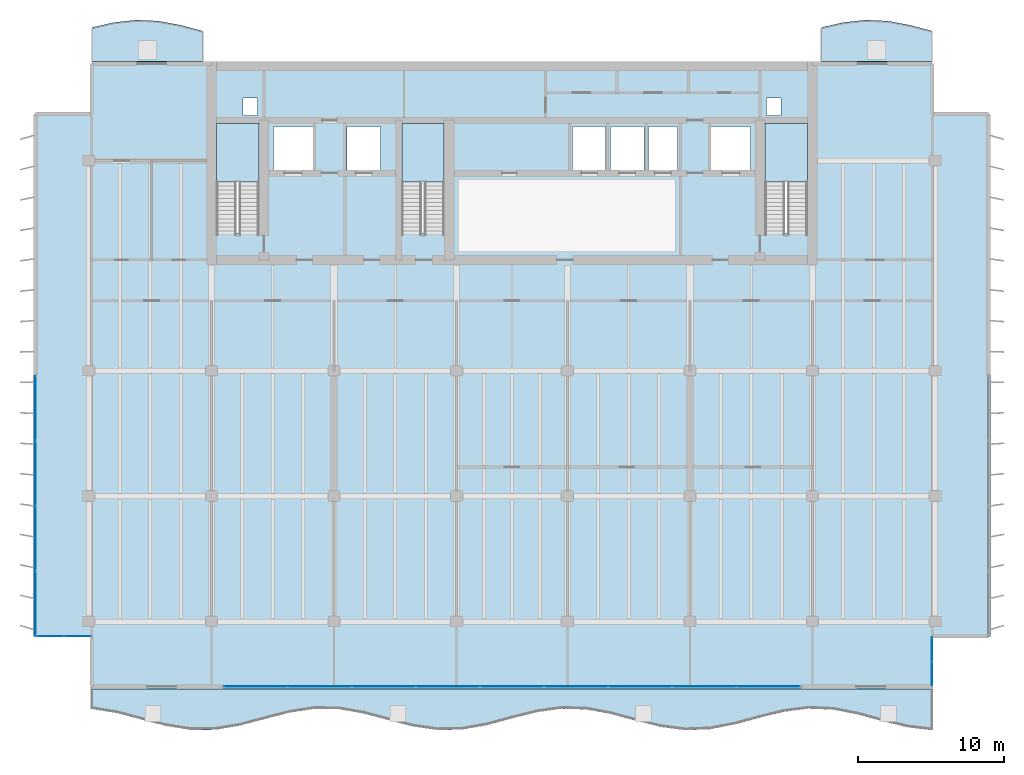
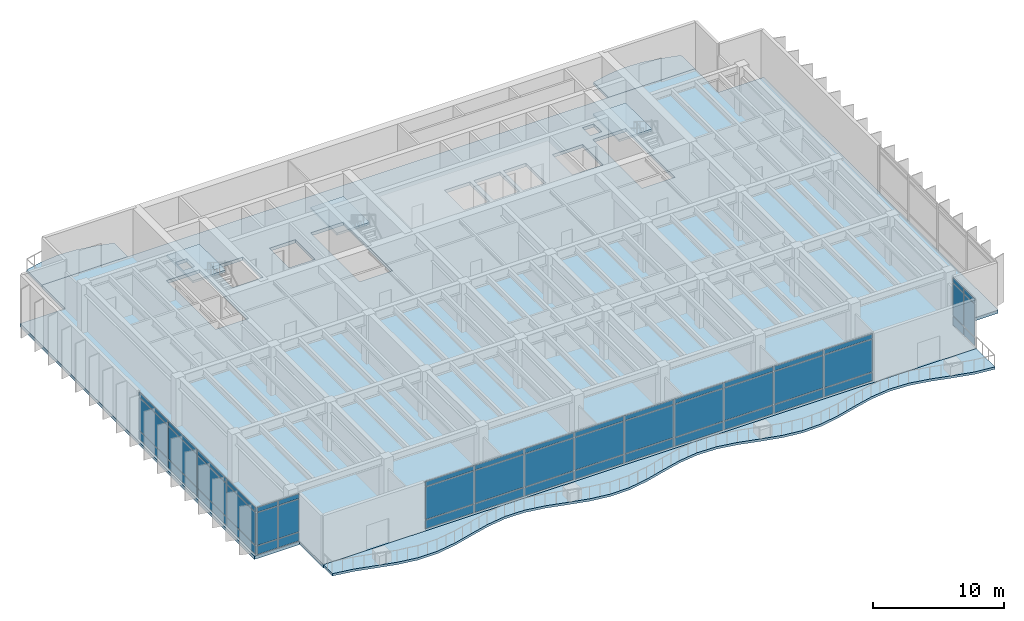
# One storey, part 7 of 15: 51 plates, 7 slabs, 7 elements without a shape of their own.
"""IFC4 building model written with IfcOpenShell, lengths in metres."""

from ifc_helpers import new_model, si_unit, direction, frame, origin, origin_2d, place, context, subcontext, project, spatial, polyline, rectangle, outline, extrude, material, layer, layer_set, type_object, element, aggregate, save


model = new_model("IFC4")

# Units and contexts
model_context = context("Model", 3, precision=1e-05, world=origin(), true_north=direction((0.0, 1.0)))
body_context = subcontext(model_context, "Body", "Model", "MODEL_VIEW")
ifc_project = project(units=[si_unit("LENGTHUNIT", "METRE"), si_unit("AREAUNIT", "SQUARE_METRE"), si_unit("VOLUMEUNIT", "CUBIC_METRE"), si_unit("PLANEANGLEUNIT", "RADIAN"), si_unit("MASSUNIT", "GRAM", prefix="KILO")], contexts=[model_context])

# Site, building, storey
site_placement = place(None, origin())
site = spatial("IfcSite", under=ifc_project, at=site_placement, CompositionType="ELEMENT")
building_placement = place(site_placement, origin())
building = spatial("IfcBuilding", under=site, at=building_placement, Name="Caelmar Bay Residences", CompositionType="ELEMENT")
storey_placement = place(building_placement, frame((0.0, 0.0, 183.60009765625)))
storey = spatial("IfcBuildingStorey", under=building, at=storey_placement, Name="L51", CompositionType="ELEMENT", Elevation=183.60009765625)

# Curtain wall, plates
ifc_material_1 = material(Name="Anodised bronze aluminium 6063-T6 and laminated glass", Category="aluminium")
ifc_layer_1 = layer(ifc_material_1, 0.179931640625)
ifc_layer_set_1 = layer_set([ifc_layer_1], Name="Anodised bronze aluminium 6063-T6 and laminated glass")
curtain_wall_type_1 = type_object("IfcCurtainWallType", Name="CW6-NTC", PredefinedType="NOTDEFINED", material=ifc_layer_set_1)
curtain_wall_1_placement = place(storey_placement, origin())
curtain_wall_1 = element("IfcCurtainWall", 1, at=curtain_wall_1_placement, inside=storey, type_object=curtain_wall_type_1, Name="CW6 curtain wall L51", PredefinedType="NOTDEFINED")
ifc_material_2 = material(Name="Bronze-tinted laminated low-E hurricane glass 28 mm", Category="glass")
ifc_layer_2 = layer(ifc_material_2, 0.028076171875)
ifc_layer_set_2 = layer_set([ifc_layer_2], Name="Bronze-tinted laminated low-E hurricane glass 28 mm")
plate_type_1 = type_object("IfcPlateType", Name="CWP-GLZ28", PredefinedType="CURTAIN_PANEL", material=ifc_layer_set_2)
plate_1_placement = place(storey_placement, frame((7.232421875, 11.199951171875, 0.080078125), z_axis=(0.0, 0.0, 1.0), x_axis=(1.0, 0.0, 0.0)))
plate_1 = element("IfcPlate", 2, at=plate_1_placement, type_object=plate_type_1, Name="CW6 panel 1.1", PredefinedType="CURTAIN_PANEL", context=body_context, shape_type="SweptSolid", body=[
    extrude(rectangle(XDim=1.804931640625, YDim=0.028076171875, at=origin_2d()), origin(), (0.0, 0.0, 1.0), 0.780029296875),
])
plate_2_placement = place(storey_placement, frame((7.232421875, 11.199951171875, 0.93994140625), z_axis=(0.0, 0.0, 1.0), x_axis=(1.0, 0.0, 0.0)))
plate_2 = element("IfcPlate", 3, at=plate_2_placement, type_object=plate_type_1, Name="CW6 panel 1.2", PredefinedType="CURTAIN_PANEL", context=body_context, shape_type="SweptSolid", body=[
    extrude(rectangle(XDim=1.804931640625, YDim=0.028076171875, at=origin_2d()), origin(), (0.0, 0.0, 1.0), 3.02001953125),
])
plate_3_placement = place(storey_placement, frame((7.232421875, 11.199951171875, 4.0400390625), z_axis=(0.0, 0.0, 1.0), x_axis=(1.0, 0.0, 0.0)))
plate_3 = element("IfcPlate", 4, at=plate_3_placement, type_object=plate_type_1, Name="CW6 panel 1.3", PredefinedType="CURTAIN_PANEL", context=body_context, shape_type="SweptSolid", body=[
    extrude(rectangle(XDim=1.804931640625, YDim=0.028076171875, at=origin_2d()), origin(), (0.0, 0.0, 1.0), 0.429931640625),
])
plate_4_placement = place(storey_placement, frame((9.117431640625, 11.199951171875, 0.080078125), z_axis=(0.0, 0.0, 1.0), x_axis=(1.0, 0.0, 0.0)))
plate_4 = element("IfcPlate", 5, at=plate_4_placement, type_object=plate_type_1, Name="CW6 panel 2.1", PredefinedType="CURTAIN_PANEL", context=body_context, shape_type="SweptSolid", body=[
    extrude(rectangle(XDim=1.804931640625, YDim=0.028076171875, at=origin_2d()), origin(), (0.0, 0.0, 1.0), 0.780029296875),
])
plate_5_placement = place(storey_placement, frame((9.117431640625, 11.199951171875, 0.93994140625), z_axis=(0.0, 0.0, 1.0), x_axis=(1.0, 0.0, 0.0)))
plate_5 = element("IfcPlate", 6, at=plate_5_placement, type_object=plate_type_1, Name="CW6 panel 2.2", PredefinedType="CURTAIN_PANEL", context=body_context, shape_type="SweptSolid", body=[
    extrude(rectangle(XDim=1.804931640625, YDim=0.028076171875, at=origin_2d()), origin(), (0.0, 0.0, 1.0), 3.02001953125),
])
plate_6_placement = place(storey_placement, frame((9.117431640625, 11.199951171875, 4.0400390625), z_axis=(0.0, 0.0, 1.0), x_axis=(1.0, 0.0, 0.0)))
plate_6 = element("IfcPlate", 7, at=plate_6_placement, type_object=plate_type_1, Name="CW6 panel 2.3", PredefinedType="CURTAIN_PANEL", context=body_context, shape_type="SweptSolid", body=[
    extrude(rectangle(XDim=1.804931640625, YDim=0.028076171875, at=origin_2d()), origin(), (0.0, 0.0, 1.0), 0.429931640625),
])
aggregate(curtain_wall_1, [plate_1, plate_2, plate_3, plate_4, plate_5, plate_6])

curtain_wall_2_placement = place(storey_placement, origin())
curtain_wall_2 = element("IfcCurtainWall", 8, at=curtain_wall_2_placement, inside=storey, type_object=curtain_wall_type_1, Name="CW6 curtain wall L51", PredefinedType="NOTDEFINED")
plate_7_placement = place(storey_placement, frame((67.699951171875, 8.632568359375, 0.080078125), z_axis=(0.0, 0.0, 1.0), x_axis=(0.0, 1.0, 0.0)))
plate_7 = element("IfcPlate", 9, at=plate_7_placement, type_object=plate_type_1, Name="CW6 panel 1.1", PredefinedType="CURTAIN_PANEL", context=body_context, shape_type="SweptSolid", body=[
    extrude(rectangle(XDim=1.60498046875, YDim=0.028076171875, at=origin_2d()), origin(), (0.0, 0.0, 1.0), 0.780029296875),
])
plate_8_placement = place(storey_placement, frame((67.699951171875, 8.632568359375, 0.93994140625), z_axis=(0.0, 0.0, 1.0), x_axis=(0.0, 1.0, 0.0)))
plate_8 = element("IfcPlate", 10, at=plate_8_placement, type_object=plate_type_1, Name="CW6 panel 1.2", PredefinedType="CURTAIN_PANEL", context=body_context, shape_type="SweptSolid", body=[
    extrude(rectangle(XDim=1.60498046875, YDim=0.028076171875, at=origin_2d()), origin(), (0.0, 0.0, 1.0), 3.02001953125),
])
plate_9_placement = place(storey_placement, frame((67.699951171875, 8.632568359375, 4.0400390625), z_axis=(0.0, 0.0, 1.0), x_axis=(0.0, 1.0, 0.0)))
plate_9 = element("IfcPlate", 11, at=plate_9_placement, type_object=plate_type_1, Name="CW6 panel 1.3", PredefinedType="CURTAIN_PANEL", context=body_context, shape_type="SweptSolid", body=[
    extrude(rectangle(XDim=1.60498046875, YDim=0.028076171875, at=origin_2d()), origin(), (0.0, 0.0, 1.0), 0.429931640625),
])
plate_10_placement = place(storey_placement, frame((67.699951171875, 10.3173828125, 0.080078125), z_axis=(0.0, 0.0, 1.0), x_axis=(0.0, 1.0, 0.0)))
plate_10 = element("IfcPlate", 12, at=plate_10_placement, type_object=plate_type_1, Name="CW6 panel 2.1", PredefinedType="CURTAIN_PANEL", context=body_context, shape_type="SweptSolid", body=[
    extrude(rectangle(XDim=1.60498046875, YDim=0.028076171875, at=origin_2d()), origin(), (0.0, 0.0, 1.0), 0.780029296875),
])
plate_11_placement = place(storey_placement, frame((67.699951171875, 10.3173828125, 0.93994140625), z_axis=(0.0, 0.0, 1.0), x_axis=(0.0, 1.0, 0.0)))
plate_11 = element("IfcPlate", 13, at=plate_11_placement, type_object=plate_type_1, Name="CW6 panel 2.2", PredefinedType="CURTAIN_PANEL", context=body_context, shape_type="SweptSolid", body=[
    extrude(rectangle(XDim=1.60498046875, YDim=0.028076171875, at=origin_2d()), origin(), (0.0, 0.0, 1.0), 3.02001953125),
])
plate_12_placement = place(storey_placement, frame((67.699951171875, 10.3173828125, 4.0400390625), z_axis=(0.0, 0.0, 1.0), x_axis=(0.0, 1.0, 0.0)))
plate_12 = element("IfcPlate", 14, at=plate_12_placement, type_object=plate_type_1, Name="CW6 panel 2.3", PredefinedType="CURTAIN_PANEL", context=body_context, shape_type="SweptSolid", body=[
    extrude(rectangle(XDim=1.60498046875, YDim=0.028076171875, at=origin_2d()), origin(), (0.0, 0.0, 1.0), 0.429931640625),
])
aggregate(curtain_wall_2, [plate_7, plate_8, plate_9, plate_10, plate_11, plate_12])

ifc_layer_3 = layer(ifc_material_1, 0.179931640625)
ifc_layer_set_3 = layer_set([ifc_layer_3], Name="Anodised bronze aluminium 6063-T6 and laminated glass")
curtain_wall_type_2 = type_object("IfcCurtainWallType", Name="CW7-CRN", PredefinedType="NOTDEFINED", material=ifc_layer_set_3)
curtain_wall_3_placement = place(storey_placement, origin())
curtain_wall_3 = element("IfcCurtainWall", 15, at=curtain_wall_3_placement, inside=storey, type_object=curtain_wall_type_2, Name="CW7 curtain wall L51", PredefinedType="NOTDEFINED")
ifc_material_3 = material(Name="Bronze-tinted laminated low-E hurricane glass 32 mm", Category="glass")
ifc_layer_4 = layer(ifc_material_3, 0.031982421875)
ifc_layer_set_4 = layer_set([ifc_layer_4], Name="Bronze-tinted laminated low-E hurricane glass 32 mm")
plate_type_2 = type_object("IfcPlateType", Name="CWP-GLZ32", PredefinedType="CURTAIN_PANEL", material=ifc_layer_set_4)
plate_13_placement = place(storey_placement, frame((56.47998046875, 7.75, 0.080078125), z_axis=(0.0, 0.0, 1.0), x_axis=(-1.0, 0.0, 0.0)))
plate_13 = element("IfcPlate", 16, at=plate_13_placement, type_object=plate_type_2, Name="CW7 panel 1.1", PredefinedType="CURTAIN_PANEL", context=body_context, shape_type="SweptSolid", body=[
    extrude(rectangle(XDim=4.280029296875, YDim=0.031982421875, at=origin_2d()), origin(), (0.0, 0.0, 1.0), 0.780029296875),
])
plate_14_placement = place(storey_placement, frame((56.47998046875, 7.75, 0.93994140625), z_axis=(0.0, 0.0, 1.0), x_axis=(-1.0, 0.0, 0.0)))
plate_14 = element("IfcPlate", 17, at=plate_14_placement, type_object=plate_type_2, Name="CW7 panel 1.2", PredefinedType="CURTAIN_PANEL", context=body_context, shape_type="SweptSolid", body=[
    extrude(rectangle(XDim=4.280029296875, YDim=0.031982421875, at=origin_2d()), origin(), (0.0, 0.0, 1.0), 3.02001953125),
])
plate_15_placement = place(storey_placement, frame((56.47998046875, 7.75, 4.0400390625), z_axis=(0.0, 0.0, 1.0), x_axis=(-1.0, 0.0, 0.0)))
plate_15 = element("IfcPlate", 18, at=plate_15_placement, type_object=plate_type_2, Name="CW7 panel 1.3", PredefinedType="CURTAIN_PANEL", context=body_context, shape_type="SweptSolid", body=[
    extrude(rectangle(XDim=4.280029296875, YDim=0.031982421875, at=origin_2d()), origin(), (0.0, 0.0, 1.0), 0.429931640625),
])
plate_16_placement = place(storey_placement, frame((52.10009765625, 7.75, 0.080078125), z_axis=(0.0, 0.0, 1.0), x_axis=(-1.0, 0.0, 0.0)))
plate_16 = element("IfcPlate", 19, at=plate_16_placement, type_object=plate_type_2, Name="CW7 panel 2.1", PredefinedType="CURTAIN_PANEL", context=body_context, shape_type="SweptSolid", body=[
    extrude(rectangle(XDim=4.320068359375, YDim=0.031982421875, at=origin_2d()), origin(), (0.0, 0.0, 1.0), 0.780029296875),
])
plate_17_placement = place(storey_placement, frame((52.10009765625, 7.75, 0.93994140625), z_axis=(0.0, 0.0, 1.0), x_axis=(-1.0, 0.0, 0.0)))
plate_17 = element("IfcPlate", 20, at=plate_17_placement, type_object=plate_type_2, Name="CW7 panel 2.2", PredefinedType="CURTAIN_PANEL", context=body_context, shape_type="SweptSolid", body=[
    extrude(rectangle(XDim=4.320068359375, YDim=0.031982421875, at=origin_2d()), origin(), (0.0, 0.0, 1.0), 3.02001953125),
])
plate_18_placement = place(storey_placement, frame((52.10009765625, 7.75, 4.0400390625), z_axis=(0.0, 0.0, 1.0), x_axis=(-1.0, 0.0, 0.0)))
plate_18 = element("IfcPlate", 21, at=plate_18_placement, type_object=plate_type_2, Name="CW7 panel 2.3", PredefinedType="CURTAIN_PANEL", context=body_context, shape_type="SweptSolid", body=[
    extrude(rectangle(XDim=4.320068359375, YDim=0.031982421875, at=origin_2d()), origin(), (0.0, 0.0, 1.0), 0.429931640625),
])
plate_19_placement = place(storey_placement, frame((47.699951171875, 7.75, 0.080078125), z_axis=(0.0, 0.0, 1.0), x_axis=(-1.0, 0.0, 0.0)))
plate_19 = element("IfcPlate", 22, at=plate_19_placement, type_object=plate_type_2, Name="CW7 panel 3.1", PredefinedType="CURTAIN_PANEL", context=body_context, shape_type="SweptSolid", body=[
    extrude(rectangle(XDim=4.320068359375, YDim=0.031982421875, at=origin_2d()), origin(), (0.0, 0.0, 1.0), 0.780029296875),
])
plate_20_placement = place(storey_placement, frame((47.699951171875, 7.75, 0.93994140625), z_axis=(0.0, 0.0, 1.0), x_axis=(-1.0, 0.0, 0.0)))
plate_20 = element("IfcPlate", 23, at=plate_20_placement, type_object=plate_type_2, Name="CW7 panel 3.2", PredefinedType="CURTAIN_PANEL", context=body_context, shape_type="SweptSolid", body=[
    extrude(rectangle(XDim=4.320068359375, YDim=0.031982421875, at=origin_2d()), origin(), (0.0, 0.0, 1.0), 3.02001953125),
])
plate_21_placement = place(storey_placement, frame((47.699951171875, 7.75, 4.0400390625), z_axis=(0.0, 0.0, 1.0), x_axis=(-1.0, 0.0, 0.0)))
plate_21 = element("IfcPlate", 24, at=plate_21_placement, type_object=plate_type_2, Name="CW7 panel 3.3", PredefinedType="CURTAIN_PANEL", context=body_context, shape_type="SweptSolid", body=[
    extrude(rectangle(XDim=4.320068359375, YDim=0.031982421875, at=origin_2d()), origin(), (0.0, 0.0, 1.0), 0.429931640625),
])
plate_22_placement = place(storey_placement, frame((43.300048828125, 7.75, 0.080078125), z_axis=(0.0, 0.0, 1.0), x_axis=(-1.0, 0.0, 0.0)))
plate_22 = element("IfcPlate", 25, at=plate_22_placement, type_object=plate_type_2, Name="CW7 panel 4.1", PredefinedType="CURTAIN_PANEL", context=body_context, shape_type="SweptSolid", body=[
    extrude(rectangle(XDim=4.320068359375, YDim=0.031982421875, at=origin_2d()), origin(), (0.0, 0.0, 1.0), 0.780029296875),
])
plate_23_placement = place(storey_placement, frame((43.300048828125, 7.75, 0.93994140625), z_axis=(0.0, 0.0, 1.0), x_axis=(-1.0, 0.0, 0.0)))
plate_23 = element("IfcPlate", 26, at=plate_23_placement, type_object=plate_type_2, Name="CW7 panel 4.2", PredefinedType="CURTAIN_PANEL", context=body_context, shape_type="SweptSolid", body=[
    extrude(rectangle(XDim=4.320068359375, YDim=0.031982421875, at=origin_2d()), origin(), (0.0, 0.0, 1.0), 3.02001953125),
])
plate_24_placement = place(storey_placement, frame((43.300048828125, 7.75, 4.0400390625), z_axis=(0.0, 0.0, 1.0), x_axis=(-1.0, 0.0, 0.0)))
plate_24 = element("IfcPlate", 27, at=plate_24_placement, type_object=plate_type_2, Name="CW7 panel 4.3", PredefinedType="CURTAIN_PANEL", context=body_context, shape_type="SweptSolid", body=[
    extrude(rectangle(XDim=4.320068359375, YDim=0.031982421875, at=origin_2d()), origin(), (0.0, 0.0, 1.0), 0.429931640625),
])
plate_25_placement = place(storey_placement, frame((38.89990234375, 7.75, 0.080078125), z_axis=(0.0, 0.0, 1.0), x_axis=(-1.0, 0.0, 0.0)))
plate_25 = element("IfcPlate", 28, at=plate_25_placement, type_object=plate_type_2, Name="CW7 panel 5.1", PredefinedType="CURTAIN_PANEL", context=body_context, shape_type="SweptSolid", body=[
    extrude(rectangle(XDim=4.320068359375, YDim=0.031982421875, at=origin_2d()), origin(), (0.0, 0.0, 1.0), 0.780029296875),
])
plate_26_placement = place(storey_placement, frame((38.89990234375, 7.75, 0.93994140625), z_axis=(0.0, 0.0, 1.0), x_axis=(-1.0, 0.0, 0.0)))
plate_26 = element("IfcPlate", 29, at=plate_26_placement, type_object=plate_type_2, Name="CW7 panel 5.2", PredefinedType="CURTAIN_PANEL", context=body_context, shape_type="SweptSolid", body=[
    extrude(rectangle(XDim=4.320068359375, YDim=0.031982421875, at=origin_2d()), origin(), (0.0, 0.0, 1.0), 3.02001953125),
])
plate_27_placement = place(storey_placement, frame((38.89990234375, 7.75, 4.0400390625), z_axis=(0.0, 0.0, 1.0), x_axis=(-1.0, 0.0, 0.0)))
plate_27 = element("IfcPlate", 30, at=plate_27_placement, type_object=plate_type_2, Name="CW7 panel 5.3", PredefinedType="CURTAIN_PANEL", context=body_context, shape_type="SweptSolid", body=[
    extrude(rectangle(XDim=4.320068359375, YDim=0.031982421875, at=origin_2d()), origin(), (0.0, 0.0, 1.0), 0.429931640625),
])
plate_28_placement = place(storey_placement, frame((34.5, 7.75, 0.080078125), z_axis=(0.0, 0.0, 1.0), x_axis=(-1.0, 0.0, 0.0)))
plate_28 = element("IfcPlate", 31, at=plate_28_placement, type_object=plate_type_2, Name="CW7 panel 6.1", PredefinedType="CURTAIN_PANEL", context=body_context, shape_type="SweptSolid", body=[
    extrude(rectangle(XDim=4.320068359375, YDim=0.031982421875, at=origin_2d()), origin(), (0.0, 0.0, 1.0), 0.780029296875),
])
plate_29_placement = place(storey_placement, frame((34.5, 7.75, 0.93994140625), z_axis=(0.0, 0.0, 1.0), x_axis=(-1.0, 0.0, 0.0)))
plate_29 = element("IfcPlate", 32, at=plate_29_placement, type_object=plate_type_2, Name="CW7 panel 6.2", PredefinedType="CURTAIN_PANEL", context=body_context, shape_type="SweptSolid", body=[
    extrude(rectangle(XDim=4.320068359375, YDim=0.031982421875, at=origin_2d()), origin(), (0.0, 0.0, 1.0), 3.02001953125),
])
plate_30_placement = place(storey_placement, frame((34.5, 7.75, 4.0400390625), z_axis=(0.0, 0.0, 1.0), x_axis=(-1.0, 0.0, 0.0)))
plate_30 = element("IfcPlate", 33, at=plate_30_placement, type_object=plate_type_2, Name="CW7 panel 6.3", PredefinedType="CURTAIN_PANEL", context=body_context, shape_type="SweptSolid", body=[
    extrude(rectangle(XDim=4.320068359375, YDim=0.031982421875, at=origin_2d()), origin(), (0.0, 0.0, 1.0), 0.429931640625),
])
plate_31_placement = place(storey_placement, frame((30.10009765625, 7.75, 0.080078125), z_axis=(0.0, 0.0, 1.0), x_axis=(-1.0, 0.0, 0.0)))
plate_31 = element("IfcPlate", 34, at=plate_31_placement, type_object=plate_type_2, Name="CW7 panel 7.1", PredefinedType="CURTAIN_PANEL", context=body_context, shape_type="SweptSolid", body=[
    extrude(rectangle(XDim=4.320068359375, YDim=0.031982421875, at=origin_2d()), origin(), (0.0, 0.0, 1.0), 0.780029296875),
])
plate_32_placement = place(storey_placement, frame((30.10009765625, 7.75, 0.93994140625), z_axis=(0.0, 0.0, 1.0), x_axis=(-1.0, 0.0, 0.0)))
plate_32 = element("IfcPlate", 35, at=plate_32_placement, type_object=plate_type_2, Name="CW7 panel 7.2", PredefinedType="CURTAIN_PANEL", context=body_context, shape_type="SweptSolid", body=[
    extrude(rectangle(XDim=4.320068359375, YDim=0.031982421875, at=origin_2d()), origin(), (0.0, 0.0, 1.0), 3.02001953125),
])
plate_33_placement = place(storey_placement, frame((30.10009765625, 7.75, 4.0400390625), z_axis=(0.0, 0.0, 1.0), x_axis=(-1.0, 0.0, 0.0)))
plate_33 = element("IfcPlate", 36, at=plate_33_placement, type_object=plate_type_2, Name="CW7 panel 7.3", PredefinedType="CURTAIN_PANEL", context=body_context, shape_type="SweptSolid", body=[
    extrude(rectangle(XDim=4.320068359375, YDim=0.031982421875, at=origin_2d()), origin(), (0.0, 0.0, 1.0), 0.429931640625),
])
plate_34_placement = place(storey_placement, frame((25.699951171875, 7.75, 0.080078125), z_axis=(0.0, 0.0, 1.0), x_axis=(-1.0, 0.0, 0.0)))
plate_34 = element("IfcPlate", 37, at=plate_34_placement, type_object=plate_type_2, Name="CW7 panel 8.1", PredefinedType="CURTAIN_PANEL", context=body_context, shape_type="SweptSolid", body=[
    extrude(rectangle(XDim=4.320068359375, YDim=0.031982421875, at=origin_2d()), origin(), (0.0, 0.0, 1.0), 0.780029296875),
])
plate_35_placement = place(storey_placement, frame((25.699951171875, 7.75, 0.93994140625), z_axis=(0.0, 0.0, 1.0), x_axis=(-1.0, 0.0, 0.0)))
plate_35 = element("IfcPlate", 38, at=plate_35_placement, type_object=plate_type_2, Name="CW7 panel 8.2", PredefinedType="CURTAIN_PANEL", context=body_context, shape_type="SweptSolid", body=[
    extrude(rectangle(XDim=4.320068359375, YDim=0.031982421875, at=origin_2d()), origin(), (0.0, 0.0, 1.0), 3.02001953125),
])
plate_36_placement = place(storey_placement, frame((25.699951171875, 7.75, 4.0400390625), z_axis=(0.0, 0.0, 1.0), x_axis=(-1.0, 0.0, 0.0)))
plate_36 = element("IfcPlate", 39, at=plate_36_placement, type_object=plate_type_2, Name="CW7 panel 8.3", PredefinedType="CURTAIN_PANEL", context=body_context, shape_type="SweptSolid", body=[
    extrude(rectangle(XDim=4.320068359375, YDim=0.031982421875, at=origin_2d()), origin(), (0.0, 0.0, 1.0), 0.429931640625),
])
plate_37_placement = place(storey_placement, frame((21.320068359375, 7.75, 0.080078125), z_axis=(0.0, 0.0, 1.0), x_axis=(-1.0, 0.0, 0.0)))
plate_37 = element("IfcPlate", 40, at=plate_37_placement, type_object=plate_type_2, Name="CW7 panel 9.1", PredefinedType="CURTAIN_PANEL", context=body_context, shape_type="SweptSolid", body=[
    extrude(rectangle(XDim=4.280029296875, YDim=0.031982421875, at=origin_2d()), origin(), (0.0, 0.0, 1.0), 0.780029296875),
])
plate_38_placement = place(storey_placement, frame((21.320068359375, 7.75, 0.93994140625), z_axis=(0.0, 0.0, 1.0), x_axis=(-1.0, 0.0, 0.0)))
plate_38 = element("IfcPlate", 41, at=plate_38_placement, type_object=plate_type_2, Name="CW7 panel 9.2", PredefinedType="CURTAIN_PANEL", context=body_context, shape_type="SweptSolid", body=[
    extrude(rectangle(XDim=4.280029296875, YDim=0.031982421875, at=origin_2d()), origin(), (0.0, 0.0, 1.0), 3.02001953125),
])
plate_39_placement = place(storey_placement, frame((21.320068359375, 7.75, 4.0400390625), z_axis=(0.0, 0.0, 1.0), x_axis=(-1.0, 0.0, 0.0)))
plate_39 = element("IfcPlate", 42, at=plate_39_placement, type_object=plate_type_2, Name="CW7 panel 9.3", PredefinedType="CURTAIN_PANEL", context=body_context, shape_type="SweptSolid", body=[
    extrude(rectangle(XDim=4.280029296875, YDim=0.031982421875, at=origin_2d()), origin(), (0.0, 0.0, 1.0), 0.429931640625),
])
aggregate(curtain_wall_3, [plate_13, plate_14, plate_15, plate_16, plate_17, plate_18, plate_19, plate_20, plate_21, plate_22, plate_23, plate_24, plate_25, plate_26, plate_27, plate_28, plate_29, plate_30, plate_31, plate_32, plate_33, plate_34, plate_35, plate_36, plate_37, plate_38, plate_39])

curtain_wall_4_placement = place(storey_placement, origin())
curtain_wall_4 = element("IfcCurtainWall", 43, at=curtain_wall_4_placement, inside=storey, type_object=curtain_wall_type_2, Name="CW7 curtain wall L51", PredefinedType="NOTDEFINED")
plate_40_placement = place(storey_placement, frame((6.25, 13.45751953125, 0.080078125), z_axis=(0.0, 0.0, 1.0), x_axis=(0.0, 1.0, 0.0)))
plate_40 = element("IfcPlate", 44, at=plate_40_placement, type_object=plate_type_2, Name="CW7 panel 1.1", PredefinedType="CURTAIN_PANEL", context=body_context, shape_type="SweptSolid", body=[
    extrude(rectangle(XDim=4.35498046875, YDim=0.031982421875, at=origin_2d()), origin(), (0.0, 0.0, 1.0), 0.780029296875),
])
plate_41_placement = place(storey_placement, frame((6.25, 13.45751953125, 0.93994140625), z_axis=(0.0, 0.0, 1.0), x_axis=(0.0, 1.0, 0.0)))
plate_41 = element("IfcPlate", 45, at=plate_41_placement, type_object=plate_type_2, Name="CW7 panel 1.2", PredefinedType="CURTAIN_PANEL", context=body_context, shape_type="SweptSolid", body=[
    extrude(rectangle(XDim=4.35498046875, YDim=0.031982421875, at=origin_2d()), origin(), (0.0, 0.0, 1.0), 3.02001953125),
])
plate_42_placement = place(storey_placement, frame((6.25, 13.45751953125, 4.0400390625), z_axis=(0.0, 0.0, 1.0), x_axis=(0.0, 1.0, 0.0)))
plate_42 = element("IfcPlate", 46, at=plate_42_placement, type_object=plate_type_2, Name="CW7 panel 1.3", PredefinedType="CURTAIN_PANEL", context=body_context, shape_type="SweptSolid", body=[
    extrude(rectangle(XDim=4.35498046875, YDim=0.031982421875, at=origin_2d()), origin(), (0.0, 0.0, 1.0), 0.429931640625),
])
plate_43_placement = place(storey_placement, frame((6.25, 17.91259765625, 0.080078125), z_axis=(0.0, 0.0, 1.0), x_axis=(0.0, 1.0, 0.0)))
plate_43 = element("IfcPlate", 47, at=plate_43_placement, type_object=plate_type_2, Name="CW7 panel 2.1", PredefinedType="CURTAIN_PANEL", context=body_context, shape_type="SweptSolid", body=[
    extrude(rectangle(XDim=4.39501953125, YDim=0.031982421875, at=origin_2d()), origin(), (0.0, 0.0, 1.0), 0.780029296875),
])
plate_44_placement = place(storey_placement, frame((6.25, 17.91259765625, 0.93994140625), z_axis=(0.0, 0.0, 1.0), x_axis=(0.0, 1.0, 0.0)))
plate_44 = element("IfcPlate", 48, at=plate_44_placement, type_object=plate_type_2, Name="CW7 panel 2.2", PredefinedType="CURTAIN_PANEL", context=body_context, shape_type="SweptSolid", body=[
    extrude(rectangle(XDim=4.39501953125, YDim=0.031982421875, at=origin_2d()), origin(), (0.0, 0.0, 1.0), 3.02001953125),
])
plate_45_placement = place(storey_placement, frame((6.25, 17.91259765625, 4.0400390625), z_axis=(0.0, 0.0, 1.0), x_axis=(0.0, 1.0, 0.0)))
plate_45 = element("IfcPlate", 49, at=plate_45_placement, type_object=plate_type_2, Name="CW7 panel 2.3", PredefinedType="CURTAIN_PANEL", context=body_context, shape_type="SweptSolid", body=[
    extrude(rectangle(XDim=4.39501953125, YDim=0.031982421875, at=origin_2d()), origin(), (0.0, 0.0, 1.0), 0.429931640625),
])
plate_46_placement = place(storey_placement, frame((6.25, 22.387451171875, 0.080078125), z_axis=(0.0, 0.0, 1.0), x_axis=(0.0, 1.0, 0.0)))
plate_46 = element("IfcPlate", 50, at=plate_46_placement, type_object=plate_type_2, Name="CW7 panel 3.1", PredefinedType="CURTAIN_PANEL", context=body_context, shape_type="SweptSolid", body=[
    extrude(rectangle(XDim=4.39501953125, YDim=0.031982421875, at=origin_2d()), origin(), (0.0, 0.0, 1.0), 0.780029296875),
])
plate_47_placement = place(storey_placement, frame((6.25, 22.387451171875, 0.93994140625), z_axis=(0.0, 0.0, 1.0), x_axis=(0.0, 1.0, 0.0)))
plate_47 = element("IfcPlate", 51, at=plate_47_placement, type_object=plate_type_2, Name="CW7 panel 3.2", PredefinedType="CURTAIN_PANEL", context=body_context, shape_type="SweptSolid", body=[
    extrude(rectangle(XDim=4.39501953125, YDim=0.031982421875, at=origin_2d()), origin(), (0.0, 0.0, 1.0), 3.02001953125),
])
plate_48_placement = place(storey_placement, frame((6.25, 22.387451171875, 4.0400390625), z_axis=(0.0, 0.0, 1.0), x_axis=(0.0, 1.0, 0.0)))
plate_48 = element("IfcPlate", 52, at=plate_48_placement, type_object=plate_type_2, Name="CW7 panel 3.3", PredefinedType="CURTAIN_PANEL", context=body_context, shape_type="SweptSolid", body=[
    extrude(rectangle(XDim=4.39501953125, YDim=0.031982421875, at=origin_2d()), origin(), (0.0, 0.0, 1.0), 0.429931640625),
])
plate_49_placement = place(storey_placement, frame((6.25, 26.842529296875, 0.080078125), z_axis=(0.0, 0.0, 1.0), x_axis=(0.0, 1.0, 0.0)))
plate_49 = element("IfcPlate", 53, at=plate_49_placement, type_object=plate_type_2, Name="CW7 panel 4.1", PredefinedType="CURTAIN_PANEL", context=body_context, shape_type="SweptSolid", body=[
    extrude(rectangle(XDim=4.35498046875, YDim=0.031982421875, at=origin_2d()), origin(), (0.0, 0.0, 1.0), 0.780029296875),
])
plate_50_placement = place(storey_placement, frame((6.25, 26.842529296875, 0.93994140625), z_axis=(0.0, 0.0, 1.0), x_axis=(0.0, 1.0, 0.0)))
plate_50 = element("IfcPlate", 54, at=plate_50_placement, type_object=plate_type_2, Name="CW7 panel 4.2", PredefinedType="CURTAIN_PANEL", context=body_context, shape_type="SweptSolid", body=[
    extrude(rectangle(XDim=4.35498046875, YDim=0.031982421875, at=origin_2d()), origin(), (0.0, 0.0, 1.0), 3.02001953125),
])
plate_51_placement = place(storey_placement, frame((6.25, 26.842529296875, 4.0400390625), z_axis=(0.0, 0.0, 1.0), x_axis=(0.0, 1.0, 0.0)))
plate_51 = element("IfcPlate", 55, at=plate_51_placement, type_object=plate_type_2, Name="CW7 panel 4.3", PredefinedType="CURTAIN_PANEL", context=body_context, shape_type="SweptSolid", body=[
    extrude(rectangle(XDim=4.35498046875, YDim=0.031982421875, at=origin_2d()), origin(), (0.0, 0.0, 1.0), 0.429931640625),
])
aggregate(curtain_wall_4, [plate_40, plate_41, plate_42, plate_43, plate_44, plate_45, plate_46, plate_47, plate_48, plate_49, plate_50, plate_51])

# Slabs
ifc_material_4 = material(Name="Concrete f'c 40 MPa (6,000 psi)", Category="concrete")
ifc_layer_5 = layer(ifc_material_4, 0.219970703125)
ifc_layer_set_5 = layer_set([ifc_layer_5], Name="Concrete f'c 40 MPa (6,000 psi)")
slab_type_1 = type_object("IfcSlabType", Name="SLB-BAL-220", PredefinedType="FLOOR", material=ifc_layer_set_5)
slab_1_placement = place(storey_placement, frame((0.0, 0.0, -0.22021484375)))
element("IfcSlab", 56, at=slab_1_placement, inside=storey, type_object=slab_type_1, Name="L51 Sinusoidal Tree-Balcony Slab south", PredefinedType="FLOOR", context=body_context, shape_type="SweptSolid", body=[
    extrude(outline(polyline([(10.10009765625, 6.21337890625), (11.794189453125, 5.9375), (13.48828125, 5.4921875), (15.182373046875, 5.049560546875), (16.87646484375, 4.781982421875), (18.570556640625, 4.793212890625), (20.2646484375, 5.07861328125), (21.958740234375, 5.527587890625), (23.65283203125, 5.966064453125), (25.34716796875, 6.223388671875), (27.041259765625, 6.2001953125), (28.7353515625, 5.90478515625), (30.429443359375, 5.452392578125), (32.12353515625, 5.0185546875), (33.817626953125, 4.771484375), (35.51171875, 4.807373046875), (37.205810546875, 5.11181640625), (38.89990234375, 5.567138671875), (40.593994140625, 5.996337890625), (42.2880859375, 6.23291015625), (43.982421875, 6.184814453125), (45.676513671875, 5.87109375), (47.37060546875, 5.4130859375), (49.064697265625, 4.989013671875), (50.7587890625, 4.76318359375), (52.452880859375, 4.823486328125), (54.147216796875, 5.146484375), (55.84130859375, 5.606689453125), (57.535400390625, 6.025390625), (59.2294921875, 6.240234375), (60.923583984375, 6.167724609375), (62.61767578125, 5.836181640625), (64.311767578125, 5.373779296875), (66.005859375, 4.960693359375), (67.699951171875, 4.7568359375), (67.699951171875, 7.60009765625), (10.10009765625, 7.60009765625), (10.10009765625, 6.21337890625)])), origin(), (0.0, 0.0, 1.0), 0.22021484375),
])
slab_2_placement = place(storey_placement, frame((0.0, 0.0, -0.22021484375)))
element("IfcSlab", 57, at=slab_2_placement, inside=storey, type_object=slab_type_1, Name="L51 Sinusoidal Tree-Balcony Slab north_west", PredefinedType="FLOOR", context=body_context, shape_type="SweptSolid", body=[
    extrude(outline(polyline([(10.10009765625, 50.60009765625), (17.699951171875, 50.60009765625), (17.699951171875, 52.688720703125), (16.179931640625, 53.09423828125), (14.659912109375, 53.375732421875), (13.139892578125, 53.444580078125), (11.6201171875, 53.279296875), (10.10009765625, 52.931884765625), (10.10009765625, 50.60009765625)])), origin(), (0.0, 0.0, 1.0), 0.22021484375),
])
slab_3_placement = place(storey_placement, frame((0.0, 0.0, -0.22021484375)))
element("IfcSlab", 58, at=slab_3_placement, inside=storey, type_object=slab_type_1, Name="L51 Sinusoidal Tree-Balcony Slab north_east", PredefinedType="FLOOR", context=body_context, shape_type="SweptSolid", body=[
    extrude(outline(polyline([(60.10009765625, 50.60009765625), (67.699951171875, 50.60009765625), (67.699951171875, 52.688720703125), (66.179931640625, 53.09423828125), (64.659912109375, 53.375732421875), (63.139892578125, 53.444580078125), (61.6201171875, 53.279296875), (60.10009765625, 52.931884765625), (60.10009765625, 50.60009765625)])), origin(), (0.0, 0.0, 1.0), 0.22021484375),
])

# Stair, slab
stair_type = type_object("IfcStairType", Name="ST-TAL-170", PredefinedType="HALF_TURN_STAIR", material=ifc_material_4)
stair_1_placement = place(storey_placement, origin())
stair_1 = element("IfcStair", 59, at=stair_1_placement, inside=storey, type_object=stair_type, Name="L51 West Smokeproof Exit Stair ST1", PredefinedType="HALF_TURN_STAIR")
ifc_layer_6 = layer(ifc_material_4, 0.199951171875)
ifc_layer_set_6 = layer_set([ifc_layer_6], Name="Concrete f'c 40 MPa (6,000 psi)")
slab_type_2 = type_object("IfcSlabType", Name="SLB-LND-200", PredefinedType="LANDING", material=ifc_layer_set_6)
slab_4_placement = place(storey_placement, frame((0.0, 0.0, 2.199951171875)))
slab_4 = element("IfcSlab", 60, at=slab_4_placement, type_object=slab_type_2, Name="ST1 landing 1", PredefinedType="LANDING", context=body_context, shape_type="SweptSolid", body=[
    extrude(outline(polyline([(21.550048828125, 42.340087890625), (21.550048828125, 46.35009765625), (18.64990234375, 46.35009765625), (18.64990234375, 42.340087890625), (21.550048828125, 42.340087890625)])), origin(), (0.0, 0.0, 1.0), 0.199951171875),
])
aggregate(stair_1, [slab_4])

stair_2_placement = place(storey_placement, origin())
stair_2 = element("IfcStair", 61, at=stair_2_placement, inside=storey, type_object=stair_type, Name="L51 East Smokeproof Exit Stair ST2", PredefinedType="HALF_TURN_STAIR")
slab_5_placement = place(storey_placement, frame((0.0, 0.0, 2.199951171875)))
slab_5 = element("IfcSlab", 62, at=slab_5_placement, type_object=slab_type_2, Name="ST2 landing 1", PredefinedType="LANDING", context=body_context, shape_type="SweptSolid", body=[
    extrude(outline(polyline([(59.14990234375, 42.340087890625), (59.14990234375, 46.35009765625), (56.25, 46.35009765625), (56.25, 42.340087890625), (59.14990234375, 42.340087890625)])), origin(), (0.0, 0.0, 1.0), 0.199951171875),
])
aggregate(stair_2, [slab_5])

stair_3_placement = place(storey_placement, origin())
stair_3 = element("IfcStair", 63, at=stair_3_placement, inside=storey, type_object=stair_type, Name="L51 Central Smokeproof Exit Stair ST3", PredefinedType="HALF_TURN_STAIR")
slab_6_placement = place(storey_placement, frame((0.0, 0.0, 2.199951171875)))
slab_6 = element("IfcSlab", 64, at=slab_6_placement, type_object=slab_type_2, Name="ST3 landing 1", PredefinedType="LANDING", context=body_context, shape_type="SweptSolid", body=[
    extrude(outline(polyline([(34.25, 42.340087890625), (34.25, 46.35009765625), (31.35009765625, 46.35009765625), (31.35009765625, 42.340087890625), (34.25, 42.340087890625)])), origin(), (0.0, 0.0, 1.0), 0.199951171875),
])
aggregate(stair_3, [slab_6])

# Slab
ifc_layer_7 = layer(ifc_material_4, 0.300048828125)
ifc_layer_set_7 = layer_set([ifc_layer_7], Name="Concrete f'c 40 MPa (6,000 psi)")
slab_type_3 = type_object("IfcSlabType", Name="SLB-POD-300", PredefinedType="FLOOR", material=ifc_layer_set_7)
slab_7_placement = place(storey_placement, frame((0.0, 0.0, -0.300048828125)))
element("IfcSlab", 65, at=slab_7_placement, inside=storey, type_object=slab_type_3, Name="L51 Structural Floor Slab", PredefinedType="FLOOR", context=body_context, shape_type="SweptSolid", body=[
    extrude(outline(polyline([(10.10009765625, 7.60009765625), (67.699951171875, 7.60009765625), (67.699951171875, 11.199951171875), (71.699951171875, 11.199951171875), (71.699951171875, 47.0), (67.699951171875, 47.0), (67.699951171875, 50.60009765625), (10.10009765625, 50.60009765625), (10.10009765625, 47.0), (6.10009765625, 47.0), (6.10009765625, 11.199951171875), (10.10009765625, 11.199951171875), (10.10009765625, 7.60009765625)]), holes=[polyline([(18.64990234375, 38.85009765625), (21.550048828125, 38.85009765625), (21.550048828125, 46.35009765625), (18.64990234375, 46.35009765625), (18.64990234375, 38.85009765625)]), polyline([(56.25, 38.85009765625), (59.14990234375, 38.85009765625), (59.14990234375, 46.35009765625), (56.25, 46.35009765625), (56.25, 38.85009765625)]), polyline([(31.35009765625, 38.85009765625), (34.25, 38.85009765625), (34.25, 46.35009765625), (31.35009765625, 46.35009765625), (31.35009765625, 38.85009765625)]), polyline([(22.550048828125, 43.050048828125), (25.25, 43.050048828125), (25.25, 46.14990234375), (22.550048828125, 46.14990234375), (22.550048828125, 43.050048828125)]), polyline([(52.550048828125, 43.050048828125), (55.25, 43.050048828125), (55.25, 46.14990234375), (52.550048828125, 46.14990234375), (52.550048828125, 43.050048828125)]), polyline([(43.050048828125, 43.14990234375), (45.300048828125, 43.14990234375), (45.300048828125, 46.14990234375), (43.050048828125, 46.14990234375), (43.050048828125, 43.14990234375)]), polyline([(45.64990234375, 43.14990234375), (47.949951171875, 43.14990234375), (47.949951171875, 46.14990234375), (45.64990234375, 46.14990234375), (45.64990234375, 43.14990234375)]), polyline([(48.25, 43.14990234375), (50.25, 43.14990234375), (50.25, 46.14990234375), (48.25, 46.14990234375), (48.25, 43.14990234375)]), polyline([(27.60009765625, 43.14990234375), (29.89990234375, 43.14990234375), (29.89990234375, 46.14990234375), (27.60009765625, 46.14990234375), (27.60009765625, 43.14990234375)]), polyline([(20.449951171875, 46.89990234375), (21.449951171875, 46.89990234375), (21.449951171875, 48.10009765625), (20.449951171875, 48.10009765625), (20.449951171875, 46.89990234375)]), polyline([(56.35009765625, 46.89990234375), (57.35009765625, 46.89990234375), (57.35009765625, 48.10009765625), (56.35009765625, 48.10009765625), (56.35009765625, 46.89990234375)])]), origin(), (0.0, 0.0, 1.0), 0.300048828125),
])

save(model, "model.ifc")
